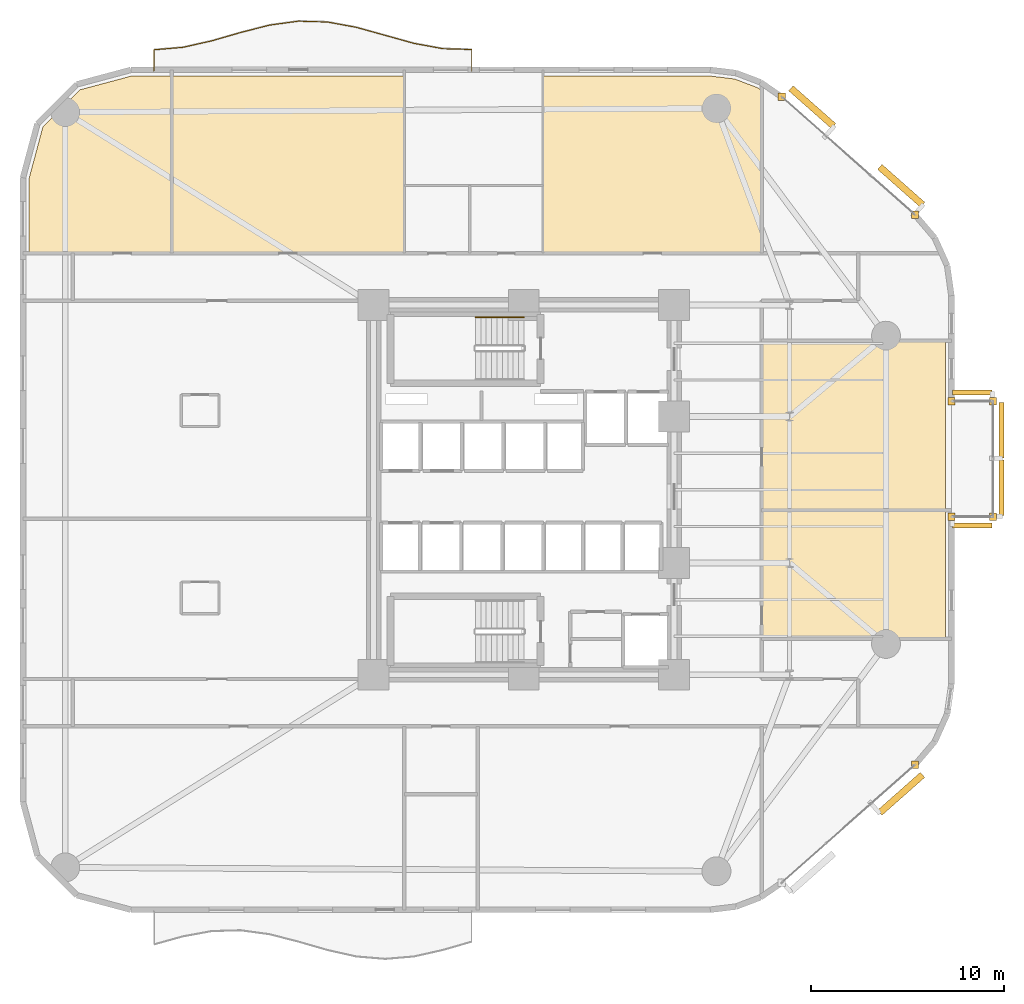
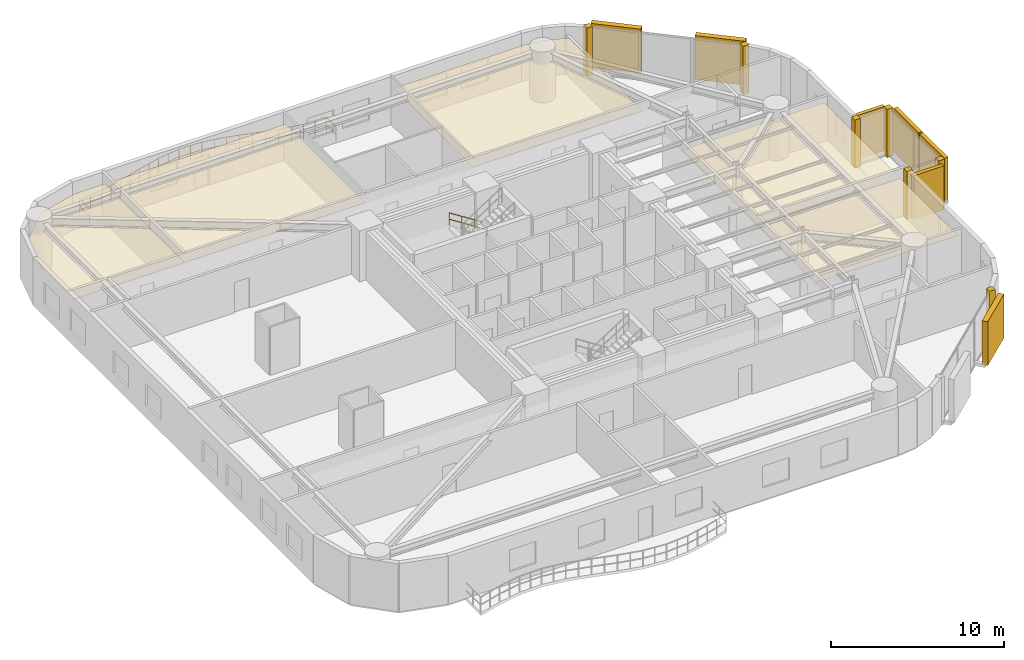
# One storey, part 16 of 16: 12 coverings, 7 shading devices, 2 railings.
"""IFC4 building model written with IfcOpenShell, lengths in metres."""

from ifc_helpers import new_model, si_unit, direction, frame, origin, origin_2d, place, context, subcontext, project, spatial, polyline, rectangle, circle, outline, extrude, material, layer, layer_set, type_object, element, save


model = new_model("IFC4")

# Units and contexts
model_context = context("Model", 3, precision=1e-05, world=origin(), true_north=direction((0.0, 1.0)))
body_context = subcontext(model_context, "Body", "Model", "MODEL_VIEW")
ifc_project = project(units=[si_unit("LENGTHUNIT", "METRE"), si_unit("AREAUNIT", "SQUARE_METRE"), si_unit("VOLUMEUNIT", "CUBIC_METRE"), si_unit("PLANEANGLEUNIT", "RADIAN"), si_unit("MASSUNIT", "GRAM", prefix="KILO")], contexts=[model_context])

# Site, building, storey
site_placement = place(None, origin())
site = spatial("IfcSite", under=ifc_project, at=site_placement, CompositionType="ELEMENT")
building_placement = place(site_placement, origin())
building = spatial("IfcBuilding", under=site, at=building_placement, Name="An Khanh Terracotta Commons", CompositionType="ELEMENT")
storey_placement = place(building_placement, frame((0.0, 0.0, 46.800048828125)))
storey = spatial("IfcBuildingStorey", under=building, at=storey_placement, Name="L12", CompositionType="ELEMENT", Elevation=46.800048828125)

# Coverings
ifc_material_1 = material(Name="Perforated Mineral-Fibre Acoustic Tile")
ifc_layer_1 = layer(ifc_material_1, 0.02001953125, Name="Perforated Mineral-Fibre Acoustic Tile")
ifc_layer_set_1 = layer_set([ifc_layer_1], Name="Perforated Mineral-Fibre Acoustic Tile")
covering_type_1 = type_object("IfcCoveringType", Name="CEIL-ACOUSTIC-18", PredefinedType="CEILING", material=ifc_layer_set_1)
covering_1_placement = place(storey_placement, frame((0.0, 0.0, 2.64990234375)))
element("IfcCovering", 1, at=covering_1_placement, inside=storey, type_object=covering_type_1, Name="L12 Collaborative Study Lounge Ceiling", PredefinedType="CEILING", context=body_context, shape_type="SweptSolid", body=[
    extrude(outline(polyline([(51.280029296875, 16.258056640625), (41.75, 16.258056640625), (41.75, 22.931884765625), (51.280029296875, 22.931884765625), (51.280029296875, 16.258056640625)])), origin(), (0.0, 0.0, 1.0), 0.02001953125),
])
covering_2_placement = place(storey_placement, frame((0.0, 0.0, 2.64990234375)))
element("IfcCovering", 2, at=covering_2_placement, inside=storey, type_object=covering_type_1, Name="L12 Collaborative Study Lounge Ceiling", PredefinedType="CEILING", context=body_context, shape_type="SweptSolid", body=[
    extrude(outline(polyline([(51.280029296875, 22.931884765625), (41.75, 22.931884765625), (41.75, 31.741943359375), (51.280029296875, 31.741943359375), (51.280029296875, 22.931884765625)])), origin(), (0.0, 0.0, 1.0), 0.02001953125),
])
covering_3_placement = place(storey_placement, frame((0.0, 0.0, 2.64990234375)))
element("IfcCovering", 3, at=covering_3_placement, inside=storey, type_object=covering_type_1, Name="L12 Collaborative Study Lounge Ceiling", PredefinedType="CEILING", context=body_context, shape_type="SweptSolid", body=[
    extrude(outline(polyline([(11.116943359375, 45.47998046875), (11.116943359375, 36.280029296875), (6.0, 36.280029296875), (3.719970703125, 36.280029296875), (3.719970703125, 40.157958984375), (4.43701171875, 42.833984375), (6.365966796875, 44.762939453125), (9.0419921875, 45.47998046875), (11.116943359375, 45.47998046875)])), origin(), (0.0, 0.0, 1.0), 0.02001953125),
])
covering_4_placement = place(storey_placement, frame((0.0, 0.0, 2.64990234375)))
element("IfcCovering", 4, at=covering_4_placement, inside=storey, type_object=covering_type_1, Name="L12 Collaborative Study Lounge Ceiling", PredefinedType="CEILING", context=body_context, shape_type="SweptSolid", body=[
    extrude(outline(polyline([(23.199951171875, 45.47998046875), (23.199951171875, 39.800048828125), (23.199951171875, 36.280029296875), (11.116943359375, 36.280029296875), (11.116943359375, 45.47998046875), (23.199951171875, 45.47998046875)])), origin(), (0.0, 0.0, 1.0), 0.02001953125),
])
covering_5_placement = place(storey_placement, frame((0.0, 0.0, 2.64990234375)))
element("IfcCovering", 5, at=covering_5_placement, inside=storey, type_object=covering_type_1, Name="L12 Collaborative Study Lounge Ceiling", PredefinedType="CEILING", context=body_context, shape_type="SweptSolid", body=[
    extrude(outline(polyline([(39.06005859375, 45.47998046875), (40.340087890625, 45.324951171875), (41.529052734375, 44.875), (41.75, 44.721923828125), (41.75, 36.280029296875), (37.5, 36.280029296875), (30.39990234375, 36.280029296875), (30.39990234375, 39.800048828125), (30.39990234375, 45.47998046875), (39.06005859375, 45.47998046875)])), origin(), (0.0, 0.0, 1.0), 0.02001953125),
])
ifc_material_2 = material(Name="Fired Terracotta Rainscreen Cladding", Category="masonry")
ifc_layer_2 = layer(ifc_material_2, 0.080078125, Name="Fired Terracotta Rainscreen Cladding")
ifc_layer_set_2 = layer_set([ifc_layer_2], Name="Fired Terracotta Rainscreen Cladding")
covering_type_2 = type_object("IfcCoveringType", Name="COV-JAMB-TERRA", PredefinedType="CLADDING", material=ifc_layer_set_2)
for number, where, z_axis, x_axis, name in (
    (6, (49.7099609375, 9.72802734375, 0.0), (0.0, 0.0, 1.0), (1.0, 0.0, 0.0), "L12 CW-02 Curtain-Wall Jamb Closure JB"),
    (7, (53.75, 22.60009765625, 0.0), (0.0, 0.0, 1.0), (1.0, 0.0, 0.0), "L12 CW-04 Curtain-Wall Jamb Closure JA"),
    (8, (53.75, 28.60009765625, 0.0), (0.0, 0.0, 1.0), (1.0, 0.0, 0.0), "L12 CW-04 Curtain-Wall Jamb Closure JB"),
    (9, (51.60009765625, 22.60009765625, 0.0), (0.0, 0.0, 1.0), (1.0, 0.0, 0.0), "L12 CW-04 Curtain-Wall Jamb Closure JA"),
    (10, (51.60009765625, 28.60009765625, 0.0), (0.0, 0.0, 1.0), (1.0, 0.0, 0.0), "L12 CW-04 Curtain-Wall Jamb Closure JB"),
    (11, (49.7099609375, 38.27197265625, 0.0), (0.0, 0.0, 1.0), (1.0, 0.0, 0.0), "L12 CW-02 Curtain-Wall Jamb Closure JA"),
    (12, (42.7890625, 44.39404296875, 0.0), (0.0, 0.0, 1.0), (1.0, 0.0, 0.0), "L12 CW-02 Curtain-Wall Jamb Closure JB"),
):
    element("IfcCovering", number, at=place(storey_placement, frame(where, z_axis=z_axis, x_axis=x_axis)), inside=storey, type_object=covering_type_2, Name=name, PredefinedType="CLADDING", context=body_context, shape_type="SweptSolid", body=[
        extrude(rectangle(XDim=0.3798828125, YDim=0.3798828125, at=origin_2d()), origin(), (0.0, 0.0, 1.0), 3.39990234375),
    ])

# Railings
ifc_material_3 = material(Name="Brushed Stainless Steel 316", Category="steel")
railing_type_1 = type_object("IfcRailingType", Name="RAIL-BALUSTRADE-1100", PredefinedType="BALUSTRADE", material=ifc_material_3)
railing_1_placement = place(storey_placement, frame((26.699951171875, 45.739990234375, 0.0)))
element("IfcRailing", 13, at=railing_1_placement, inside=storey, type_object=railing_type_1, Name="L12 N Wave Balcony Guard Balustrade", PredefinedType="BALUSTRADE", context=body_context, shape_type="SweptSolid", body=[
    extrude(circle(Radius=0.02392578125, at=origin_2d()), frame((0.0, 0.0, 1.076171875), z_axis=(0.0, 1.0, 0.0), x_axis=(-1.0, 0.0, 0.0)), (0.0, 0.0, 1.0), 1.114013671875),
    extrude(circle(Radius=0.02392578125, at=origin_2d()), frame((0.0, 0.0, 0.52587890625), z_axis=(0.0, 1.0, 0.0), x_axis=(-1.0, 0.0, 0.0)), (0.0, 0.0, 1.0), 1.114013671875),
    extrude(circle(Radius=0.02392578125, at=origin_2d()), frame((0.0, 1.114013671875, 1.076171875), z_axis=(-0.999589960453, 0.028634087409, 0.0), x_axis=(-0.028634087409, -0.999589960453, 0.0)), (0.0, 0.0, 1.0), 1.500732421875),
    extrude(circle(Radius=0.02392578125, at=origin_2d()), frame((0.0, 1.114013671875, 0.52587890625), z_axis=(-0.999589960453, 0.028634087409, 0.0), x_axis=(-0.028634087409, -0.999589960453, 0.0)), (0.0, 0.0, 1.0), 1.500732421875),
    extrude(circle(Radius=0.02392578125, at=origin_2d()), frame((-1.5, 1.156982421875, 1.076171875), z_axis=(-0.983475695992, 0.181040203803, 0.0), x_axis=(-0.181040203803, -0.983475695992, 0.0)), (0.0, 0.0, 1.0), 1.525146484375),
    extrude(circle(Radius=0.02392578125, at=origin_2d()), frame((-1.5, 1.156982421875, 0.52587890625), z_axis=(-0.983475695992, 0.181040203803, 0.0), x_axis=(-0.181040203803, -0.983475695992, 0.0)), (0.0, 0.0, 1.0), 1.525146484375),
    extrude(circle(Radius=0.02392578125, at=origin_2d()), frame((-3.0, 1.43310546875, 1.076171875), z_axis=(-0.963463971294, 0.267837965978, 0.0), x_axis=(-0.267837965978, -0.963463971294, 0.0)), (0.0, 0.0, 1.0), 1.556884765625),
    extrude(circle(Radius=0.02392578125, at=origin_2d()), frame((-3.0, 1.43310546875, 0.52587890625), z_axis=(-0.963463971294, 0.267837965978, 0.0), x_axis=(-0.267837965978, -0.963463971294, 0.0)), (0.0, 0.0, 1.0), 1.556884765625),
    extrude(circle(Radius=0.02392578125, at=origin_2d()), frame((-4.5, 1.85009765625, 1.076171875), z_axis=(-0.963463971294, 0.267837965978, 0.0), x_axis=(-0.267837965978, -0.963463971294, 0.0)), (0.0, 0.0, 1.0), 1.556884765625),
    extrude(circle(Radius=0.02392578125, at=origin_2d()), frame((-4.5, 1.85009765625, 0.52587890625), z_axis=(-0.963463971294, 0.267837965978, 0.0), x_axis=(-0.267837965978, -0.963463971294, 0.0)), (0.0, 0.0, 1.0), 1.556884765625),
    extrude(circle(Radius=0.02392578125, at=origin_2d()), frame((-6.0, 2.26708984375, 1.076171875), z_axis=(-0.983504185039, 0.180885372574, 0.0), x_axis=(-0.180885372574, -0.983504185039, 0.0)), (0.0, 0.0, 1.0), 1.525146484375),
    extrude(circle(Radius=0.02392578125, at=origin_2d()), frame((-6.0, 2.26708984375, 0.52587890625), z_axis=(-0.983504185039, 0.180885372574, 0.0), x_axis=(-0.180885372574, -0.983504185039, 0.0)), (0.0, 0.0, 1.0), 1.525146484375),
    extrude(circle(Radius=0.02392578125, at=origin_2d()), frame((-7.5, 2.54296875, 1.076171875), z_axis=(-0.999589960453, 0.028634087409, 0.0), x_axis=(-0.028634087409, -0.999589960453, 0.0)), (0.0, 0.0, 1.0), 1.500732421875),
    extrude(circle(Radius=0.02392578125, at=origin_2d()), frame((-7.5, 2.54296875, 0.52587890625), z_axis=(-0.999589960453, 0.028634087409, 0.0), x_axis=(-0.028634087409, -0.999589960453, 0.0)), (0.0, 0.0, 1.0), 1.500732421875),
    extrude(circle(Radius=0.02392578125, at=origin_2d()), frame((-9.0, 2.5859375, 1.076171875), z_axis=(-0.990717967649, -0.135933471147, 0.0), x_axis=(0.135933471147, -0.990717967649, 0.0)), (0.0, 0.0, 1.0), 1.51416015625),
    extrude(circle(Radius=0.02392578125, at=origin_2d()), frame((-9.0, 2.5859375, 0.52587890625), z_axis=(-0.990717967649, -0.135933471147, 0.0), x_axis=(0.135933471147, -0.990717967649, 0.0)), (0.0, 0.0, 1.0), 1.51416015625),
    extrude(circle(Radius=0.02392578125, at=origin_2d()), frame((-10.5, 2.380126953125, 1.076171875), z_axis=(-0.968754262999, -0.248022535107, 0.0), x_axis=(0.248022535107, -0.968754262999, 0.0)), (0.0, 0.0, 1.0), 1.54833984375),
    extrude(circle(Radius=0.02392578125, at=origin_2d()), frame((-10.5, 2.380126953125, 0.52587890625), z_axis=(-0.968754262999, -0.248022535107, 0.0), x_axis=(0.248022535107, -0.968754262999, 0.0)), (0.0, 0.0, 1.0), 1.54833984375),
    extrude(circle(Radius=0.02392578125, at=origin_2d()), frame((-12.0, 1.99609375, 1.076171875), z_axis=(-0.960753088359, -0.277404944458, 0.0), x_axis=(0.277404944458, -0.960753088359, 0.0)), (0.0, 0.0, 1.0), 1.561279296875),
    extrude(circle(Radius=0.02392578125, at=origin_2d()), frame((-12.0, 1.99609375, 0.52587890625), z_axis=(-0.960753088359, -0.277404944458, 0.0), x_axis=(0.277404944458, -0.960753088359, 0.0)), (0.0, 0.0, 1.0), 1.561279296875),
    extrude(circle(Radius=0.02392578125, at=origin_2d()), frame((-13.5, 1.56298828125, 1.076171875), z_axis=(-0.975691310659, -0.21914941548, 0.0), x_axis=(0.21914941548, -0.975691310659, 0.0)), (0.0, 0.0, 1.0), 1.537353515625),
    extrude(circle(Radius=0.02392578125, at=origin_2d()), frame((-13.5, 1.56298828125, 0.52587890625), z_axis=(-0.975691310659, -0.21914941548, 0.0), x_axis=(0.21914941548, -0.975691310659, 0.0)), (0.0, 0.0, 1.0), 1.537353515625),
    extrude(circle(Radius=0.02392578125, at=origin_2d()), frame((-15.0, 1.22607421875, 1.076171875), z_axis=(-0.996491859681, -0.083689746028, 0.0), x_axis=(0.083689746028, -0.996491859681, 0.0)), (0.0, 0.0, 1.0), 1.50537109375),
    extrude(circle(Radius=0.02392578125, at=origin_2d()), frame((-15.0, 1.22607421875, 0.52587890625), z_axis=(-0.996491859681, -0.083689746028, 0.0), x_axis=(0.083689746028, -0.996491859681, 0.0)), (0.0, 0.0, 1.0), 1.50537109375),
    extrude(circle(Radius=0.02392578125, at=origin_2d()), frame((-16.5, 1.10009765625, 1.076171875), z_axis=(0.0, -1.0, 0.0), x_axis=(1.0, 0.0, 0.0)), (0.0, 0.0, 1.0), 1.10009765625),
    extrude(circle(Radius=0.02392578125, at=origin_2d()), frame((-16.5, 1.10009765625, 0.52587890625), z_axis=(0.0, -1.0, 0.0), x_axis=(1.0, 0.0, 0.0)), (0.0, 0.0, 1.0), 1.10009765625),
    extrude(circle(Radius=0.02099609375, at=origin_2d()), origin(), (0.0, 0.0, 1.0), 1.052001953125),
    extrude(circle(Radius=0.02099609375, at=origin_2d()), frame((0.0, 1.114013671875, 0.0)), (0.0, 0.0, 1.0), 1.052001953125),
    extrude(circle(Radius=0.02099609375, at=origin_2d()), frame((-0.75, 1.135498046875, 0.0)), (0.0, 0.0, 1.0), 1.052001953125),
    extrude(circle(Radius=0.02099609375, at=origin_2d()), frame((-1.5, 1.156982421875, 0.0)), (0.0, 0.0, 1.0), 1.052001953125),
    extrude(circle(Radius=0.02099609375, at=origin_2d()), frame((-2.25, 1.294921875, 0.0)), (0.0, 0.0, 1.0), 1.052001953125),
    extrude(circle(Radius=0.02099609375, at=origin_2d()), frame((-3.0, 1.43310546875, 0.0)), (0.0, 0.0, 1.0), 1.052001953125),
    extrude(circle(Radius=0.02099609375, at=origin_2d()), frame((-3.75, 1.6416015625, 0.0)), (0.0, 0.0, 1.0), 1.052001953125),
    extrude(circle(Radius=0.02099609375, at=origin_2d()), frame((-4.5, 1.85009765625, 0.0)), (0.0, 0.0, 1.0), 1.052001953125),
    extrude(circle(Radius=0.02099609375, at=origin_2d()), frame((-5.25, 2.05859375, 0.0)), (0.0, 0.0, 1.0), 1.052001953125),
    extrude(circle(Radius=0.02099609375, at=origin_2d()), frame((-6.0, 2.26708984375, 0.0)), (0.0, 0.0, 1.0), 1.052001953125),
    extrude(circle(Radius=0.02099609375, at=origin_2d()), frame((-6.75, 2.405029296875, 0.0)), (0.0, 0.0, 1.0), 1.052001953125),
    extrude(circle(Radius=0.02099609375, at=origin_2d()), frame((-7.5, 2.54296875, 0.0)), (0.0, 0.0, 1.0), 1.052001953125),
    extrude(circle(Radius=0.02099609375, at=origin_2d()), frame((-8.25, 2.564453125, 0.0)), (0.0, 0.0, 1.0), 1.052001953125),
    extrude(circle(Radius=0.02099609375, at=origin_2d()), frame((-9.0, 2.5859375, 0.0)), (0.0, 0.0, 1.0), 1.052001953125),
    extrude(circle(Radius=0.02099609375, at=origin_2d()), frame((-9.75, 2.48291015625, 0.0)), (0.0, 0.0, 1.0), 1.052001953125),
    extrude(circle(Radius=0.02099609375, at=origin_2d()), frame((-10.5, 2.380126953125, 0.0)), (0.0, 0.0, 1.0), 1.052001953125),
    extrude(circle(Radius=0.02099609375, at=origin_2d()), frame((-11.25, 2.18798828125, 0.0)), (0.0, 0.0, 1.0), 1.052001953125),
    extrude(circle(Radius=0.02099609375, at=origin_2d()), frame((-12.0, 1.99609375, 0.0)), (0.0, 0.0, 1.0), 1.052001953125),
    extrude(circle(Radius=0.02099609375, at=origin_2d()), frame((-12.75, 1.779541015625, 0.0)), (0.0, 0.0, 1.0), 1.052001953125),
    extrude(circle(Radius=0.02099609375, at=origin_2d()), frame((-13.5, 1.56298828125, 0.0)), (0.0, 0.0, 1.0), 1.052001953125),
    extrude(circle(Radius=0.02099609375, at=origin_2d()), frame((-14.25, 1.39453125, 0.0)), (0.0, 0.0, 1.0), 1.052001953125),
    extrude(circle(Radius=0.02099609375, at=origin_2d()), frame((-15.0, 1.22607421875, 0.0)), (0.0, 0.0, 1.0), 1.052001953125),
    extrude(circle(Radius=0.02099609375, at=origin_2d()), frame((-15.75, 1.1630859375, 0.0)), (0.0, 0.0, 1.0), 1.052001953125),
    extrude(circle(Radius=0.02099609375, at=origin_2d()), frame((-16.5, 1.10009765625, 0.0)), (0.0, 0.0, 1.0), 1.052001953125),
    extrude(circle(Radius=0.02099609375, at=origin_2d()), frame((-16.5, 0.0, 0.0)), (0.0, 0.0, 1.0), 1.052001953125),
])
railing_type_2 = type_object("IfcRailingType", Name="RAIL-HANDRAIL-900", PredefinedType="HANDRAIL", material=ifc_material_3)
railing_2_placement = place(storey_placement, frame((29.409912109375, 32.949951171875, 0.179931640625)))
element("IfcRailing", 14, at=railing_2_placement, inside=storey, type_object=railing_type_2, Name="L12 ST-01 stair handrail 1", PredefinedType="HANDRAIL", context=body_context, shape_type="SweptSolid", body=[
    extrude(circle(Radius=0.02392578125, at=origin_2d()), frame((0.0, 0.0, 0.8759765625), z_axis=(-0.841162588446, 0.0, 0.540782303519), x_axis=(0.0, -1.0, 0.0)), (0.0, 0.0, 1.0), 2.995849609375),
    extrude(circle(Radius=0.02392578125, at=origin_2d()), frame((0.0, 0.0, 0.42578125), z_axis=(-0.841162588446, 0.0, 0.540782303519), x_axis=(0.0, -1.0, 0.0)), (0.0, 0.0, 1.0), 2.995849609375),
    extrude(circle(Radius=0.02099609375, at=origin_2d()), origin(), (0.0, 0.0, 1.0), 0.851806640625),
    extrude(circle(Radius=0.02099609375, at=origin_2d()), frame((-0.840087890625, 0.0, 0.5400390625)), (0.0, 0.0, 1.0), 0.851806640625),
    extrude(circle(Radius=0.02099609375, at=origin_2d()), frame((-1.679931640625, 0.0, 1.080078125)), (0.0, 0.0, 1.0), 0.851806640625),
    extrude(circle(Radius=0.02099609375, at=origin_2d()), frame((-2.52001953125, 0.0, 1.6201171875)), (0.0, 0.0, 1.0), 0.851806640625),
])

# Shading devices
ifc_material_4 = material(Name="Warm Hardwood Timber-Finish Aluminium", Category="wood")
shading_device_type_1 = type_object("IfcShadingDeviceType", Name="Shifted Box Timber-Toned Louvre Screen", PredefinedType="USERDEFINED", material=ifc_material_4)
for number, where, z_axis, x_axis, name in (
    (15, (54.199951171875, 24.10009765625, 0.14990234375), (0.0, 0.0, 1.0), (0.0, 1.0, 0.0), "L12 Louvre Screen 1"),
    (16, (54.199951171875, 27.10009765625, 0.14990234375), (0.0, 0.0, 1.0), (0.0, 1.0, 0.0), "L12 Louvre Screen 2"),
):
    element("IfcShadingDevice", number, at=place(storey_placement, frame(where, z_axis=z_axis, x_axis=x_axis)), inside=storey, type_object=shading_device_type_1, Name=name, ObjectType="LOUVRE", PredefinedType="USERDEFINED", context=body_context, shape_type="SweptSolid", body=[
        extrude(rectangle(XDim=2.8798828125, YDim=0.25, at=origin_2d()), origin(), (0.0, 0.0, 1.0), 3.10009765625),
    ])
for number, where, z_axis, x_axis, name in (
    (17, (52.675048828125, 22.14990234375, 0.14990234375), (0.0, 0.0, 1.0), (1.0, 0.0, 0.0), "L12 Louvre Screen 1"),
    (18, (52.675048828125, 29.050048828125, 0.14990234375), (0.0, 0.0, 1.0), (-1.0, 0.0, 0.0), "L12 Louvre Screen 1"),
):
    element("IfcShadingDevice", number, at=place(storey_placement, frame(where, z_axis=z_axis, x_axis=x_axis)), inside=storey, type_object=shading_device_type_1, Name=name, ObjectType="LOUVRE", PredefinedType="USERDEFINED", context=body_context, shape_type="SweptSolid", body=[
        extrude(rectangle(XDim=2.030029296875, YDim=0.25, at=origin_2d()), origin(), (0.0, 0.0, 1.0), 3.10009765625),
    ])
ifc_material_5 = material(Name="Extruded Fired Terracotta", Category="masonry")
shading_device_type_2 = type_object("IfcShadingDeviceType", Name="Terracotta Baguette Screen Assembly", PredefinedType="USERDEFINED", material=ifc_material_5)
for number, where, z_axis, x_axis, name in (
    (19, (48.987060546875, 8.220947265625, 0.14990234375), (0.0, 0.0, 1.0), (0.749019284633, 0.662548195415, 0.0), "L12 Terracotta Baguette Screen 3"),
    (20, (48.987060546875, 39.779052734375, 0.14990234375), (0.0, 0.0, 1.0), (-0.749019284633, 0.662548195415, 0.0), "L12 Terracotta Baguette Screen 1"),
    (21, (44.373046875, 43.861083984375, 0.14990234375), (0.0, 0.0, 1.0), (-0.749019284633, 0.662548195415, 0.0), "L12 Terracotta Baguette Screen 3"),
):
    element("IfcShadingDevice", number, at=place(storey_placement, frame(where, z_axis=z_axis, x_axis=x_axis)), inside=storey, type_object=shading_device_type_2, Name=name, ObjectType="BAGUETTE", PredefinedType="USERDEFINED", context=body_context, shape_type="SweptSolid", body=[
        extrude(rectangle(XDim=2.9599609375, YDim=0.35009765625, at=origin_2d()), origin(), (0.0, 0.0, 1.0), 3.10009765625),
    ])

save(model, "model.ifc")
